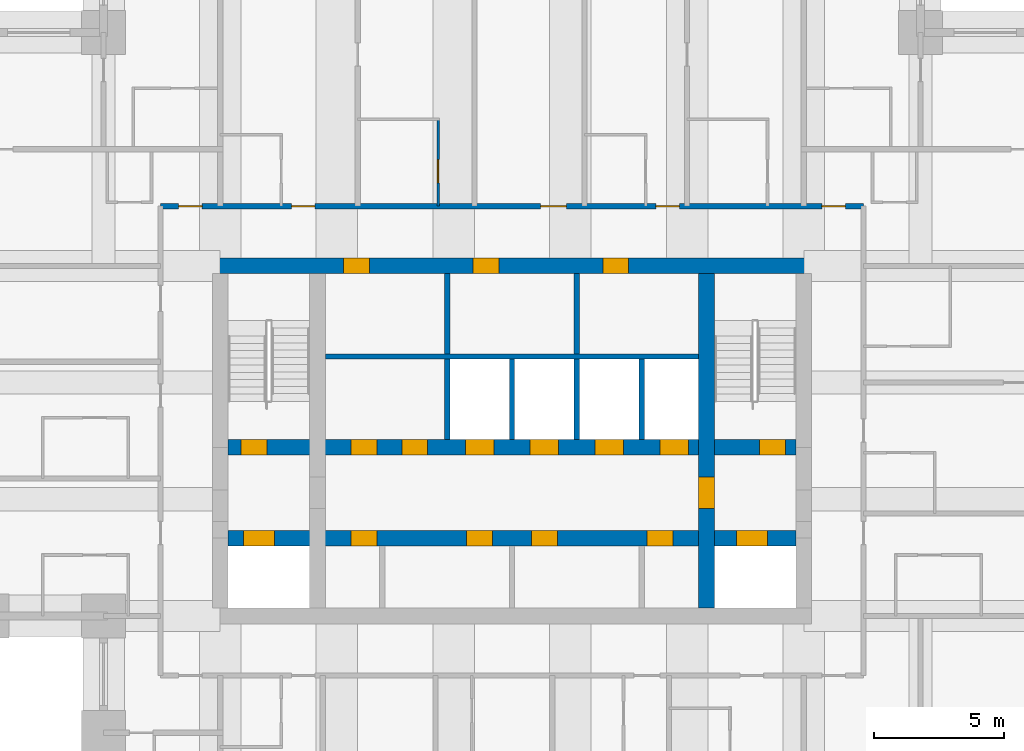
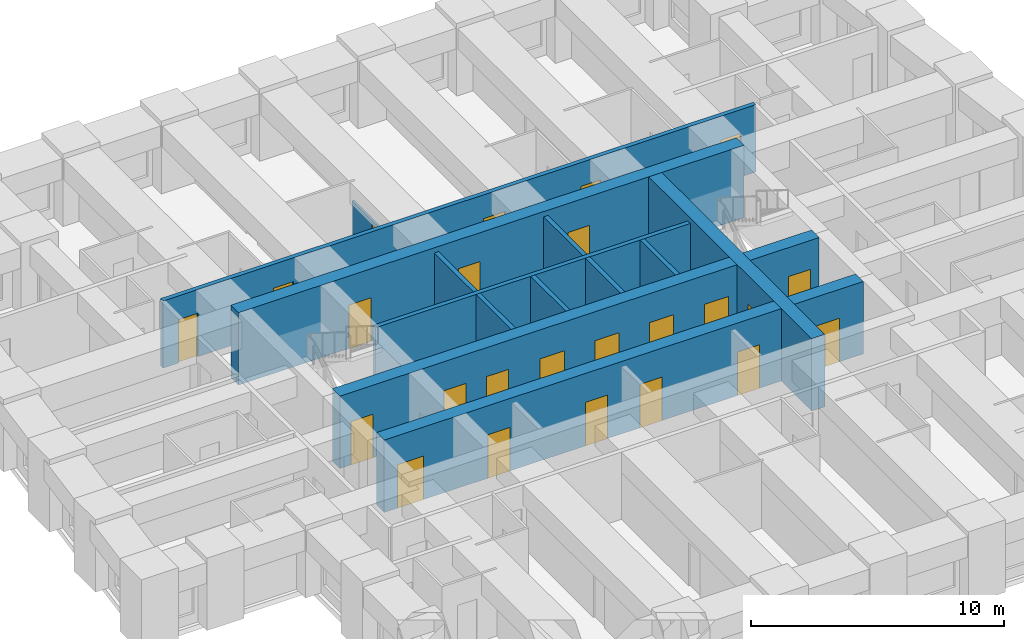
# One storey, part 4 of 8: 24 doors, 13 walls, 24 openings.
"""IFC4 building model written with IfcOpenShell, lengths in metres."""

from ifc_helpers import new_model, si_unit, direction, frame, frame_2d, origin, place, context, subcontext, project, spatial, rectangle, extrude, material, layer, layer_set, type_object, element, fill, save


model = new_model("IFC4")

# Units and contexts
model_context = context("Model", 3, precision=1e-05, world=origin(), true_north=direction((0.0, 1.0)))
body_context = subcontext(model_context, "Body", "Model", "MODEL_VIEW")
ifc_project = project(units=[si_unit("LENGTHUNIT", "METRE"), si_unit("AREAUNIT", "SQUARE_METRE"), si_unit("VOLUMEUNIT", "CUBIC_METRE"), si_unit("PLANEANGLEUNIT", "RADIAN"), si_unit("MASSUNIT", "GRAM", prefix="KILO")], contexts=[model_context])

# Site, building, storey
site_placement = place(None, origin())
site = spatial("IfcSite", under=ifc_project, at=site_placement, CompositionType="ELEMENT")
building_placement = place(site_placement, origin())
building = spatial("IfcBuilding", under=site, at=building_placement, Name="Kilele Tower Hotel", CompositionType="ELEMENT")
storey_placement = place(building_placement, frame((0.0, 0.0, 197.39990234375)))
storey = spatial("IfcBuildingStorey", under=building, at=storey_placement, Name="L51", CompositionType="ELEMENT", Elevation=197.39990234375)

# Wall, opening, door
ifc_material_1 = material(Name="Moisture-resistant board")
ifc_layer_1 = layer(ifc_material_1, 0.10009765625)
ifc_layer_set_1 = layer_set([ifc_layer_1], Name="Moisture-resistant board")
wall_type_1 = type_object("IfcWallType", Name="Bathroom partition 100", PredefinedType="PLUMBINGWALL", material=ifc_layer_set_1)
wall_1_placement = place(storey_placement, frame((21.89990234375, 29.300048828125, 0.0), z_axis=(0.0, 0.0, 1.0), x_axis=(0.0, 1.0, 0.0)))
wall_1 = element("IfcWall", 1, at=wall_1_placement, inside=storey, type_object=wall_type_1, Name="Bathroom partition 100 L51", PredefinedType="PLUMBINGWALL", context=body_context, shape_type="SweptSolid", body=[
    extrude(rectangle(XDim=3.39990234375, YDim=0.10009765625, at=frame_2d((1.699951171875, 0.0))), origin(), (0.0, 0.0, 1.0), 2.25),
])
opening_1_placement = place(wall_1_placement, frame((1.7998046875, 0.0, 0.0), z_axis=(0.0, 0.0, 1.0), x_axis=(-1.0, 0.0, 0.0)))
opening_1 = element("IfcOpeningElement", 2, at=opening_1_placement, cuts=wall_1, Name="Opening D2A", PredefinedType="OPENING", context=body_context, shape_type="SweptSolid", body=[
    extrude(rectangle(XDim=0.89990234375, YDim=2.10009765625, at=frame_2d((0.449951171875, 1.050048828125))), frame((0.0, 0.06005859375, 0.0), z_axis=(0.0, -1.0, 0.0), x_axis=(1.0, 0.0, 0.0)), (0.0, 0.0, 1.0), 0.1201171875),
])
ifc_material_2 = material(Name="Timber door leaf in hardwood frame", Category="wood")
door_type_1 = type_object("IfcDoorType", Name="Bathroom door 900", OperationType="SINGLE_SWING_LEFT", PredefinedType="DOOR", material=ifc_material_2)
door_1_placement = place(opening_1_placement, origin())
door_1 = element("IfcDoor", 3, at=door_1_placement, inside=storey, type_object=door_type_1, Name="Bathroom door 5110B", OperationType="SINGLE_SWING_RIGHT", OverallHeight=2.10009765625, OverallWidth=0.89990234375, PredefinedType="DOOR", context=body_context, shape_type="SweptSolid", body=[
    extrude(rectangle(XDim=0.89990234375, YDim=2.10009765625, at=frame_2d((0.449951171875, 1.050048828125))), frame((0.0, 0.02490234375, 0.0), z_axis=(0.0, -1.0, 0.0), x_axis=(1.0, 0.0, 0.0)), (0.0, 0.0, 1.0), 0.050048828125),
])
fill(opening_1, door_1)

# Wall, openings, doors
ifc_material_3 = material(Name="Concrete C70/85", Category="concrete")
ifc_layer_2 = layer(ifc_material_3, 0.60009765625)
ifc_layer_set_2 = layer_set([ifc_layer_2], Name="Concrete C70/85")
wall_type_2 = type_object("IfcWallType", Name="Core wall 600 C70/85", PredefinedType="SHEAR", material=ifc_layer_set_2)
wall_2_placement = place(storey_placement, frame((36.300048828125, 27.0, 0.0), z_axis=(0.0, 0.0, 1.0), x_axis=(-1.0, 0.0, 0.0)))
wall_2 = element("IfcWall", 4, at=wall_2_placement, inside=storey, type_object=wall_type_2, Name="Core wall N L51", PredefinedType="SHEAR", context=body_context, shape_type="SweptSolid", body=[
    extrude(rectangle(XDim=23.10009765625, YDim=0.60009765625, at=frame_2d((11.550048828125, 0.0))), origin(), (0.0, 0.0, 1.0), 3.5),
])
opening_2_placement = place(wall_2_placement, frame((17.050048828125, 0.0, 0.0)))
opening_2 = element("IfcOpeningElement", 5, at=opening_2_placement, cuts=wall_2, Name="Opening D6", PredefinedType="OPENING", context=body_context, shape_type="SweptSolid", body=[
    extrude(rectangle(XDim=1.0, YDim=2.10009765625, at=frame_2d((0.5, 1.050048828125))), frame((0.0, 0.31005859375, 0.0), z_axis=(0.0, -1.0, 0.0), x_axis=(1.0, 0.0, 0.0)), (0.0, 0.0, 1.0), 0.6201171875),
])
opening_3_placement = place(wall_2_placement, frame((12.050048828125, 0.0, 0.0)))
opening_3 = element("IfcOpeningElement", 6, at=opening_3_placement, cuts=wall_2, Name="Opening D6", PredefinedType="OPENING", context=body_context, shape_type="SweptSolid", body=[
    extrude(rectangle(XDim=1.0, YDim=2.10009765625, at=frame_2d((0.5, 1.050048828125))), frame((0.0, 0.31005859375, 0.0), z_axis=(0.0, -1.0, 0.0), x_axis=(1.0, 0.0, 0.0)), (0.0, 0.0, 1.0), 0.6201171875),
])
opening_4_placement = place(wall_2_placement, frame((7.050048828125, 0.0, 0.0)))
opening_4 = element("IfcOpeningElement", 7, at=opening_4_placement, cuts=wall_2, Name="Opening D6", PredefinedType="OPENING", context=body_context, shape_type="SweptSolid", body=[
    extrude(rectangle(XDim=1.0, YDim=2.10009765625, at=frame_2d((0.5, 1.050048828125))), frame((0.0, 0.31005859375, 0.0), z_axis=(0.0, -1.0, 0.0), x_axis=(1.0, 0.0, 0.0)), (0.0, 0.0, 1.0), 0.6201171875),
])
ifc_material_4 = material(Name="Timber door leaf in hardwood frame", Category="wood")
door_type_2 = type_object("IfcDoorType", Name="Riser door 1000", OperationType="SINGLE_SWING_LEFT", PredefinedType="DOOR", material=ifc_material_4)
door_2_placement = place(opening_2_placement, origin())
door_2 = element("IfcDoor", 8, at=door_2_placement, inside=storey, type_object=door_type_2, Name="Service riser door L51", OperationType="SINGLE_SWING_RIGHT", OverallHeight=2.10009765625, OverallWidth=1.0, PredefinedType="DOOR", context=body_context, shape_type="SweptSolid", body=[
    extrude(rectangle(XDim=1.0, YDim=2.10009765625, at=frame_2d((0.5, 1.050048828125))), frame((0.0, 0.2998046875, 0.0), z_axis=(0.0, -1.0, 0.0), x_axis=(1.0, 0.0, 0.0)), (0.0, 0.0, 1.0), 0.599609375),
])
fill(opening_2, door_2)
door_3_placement = place(opening_3_placement, origin())
door_3 = element("IfcDoor", 9, at=door_3_placement, inside=storey, type_object=door_type_2, Name="Staff WC door L51", OperationType="SINGLE_SWING_RIGHT", OverallHeight=2.10009765625, OverallWidth=1.0, PredefinedType="DOOR", context=body_context, shape_type="SweptSolid", body=[
    extrude(rectangle(XDim=1.0, YDim=2.10009765625, at=frame_2d((0.5, 1.050048828125))), frame((0.0, 0.2998046875, 0.0), z_axis=(0.0, -1.0, 0.0), x_axis=(1.0, 0.0, 0.0)), (0.0, 0.0, 1.0), 0.599609375),
])
fill(opening_3, door_3)
door_4_placement = place(opening_4_placement, origin())
door_4 = element("IfcDoor", 10, at=door_4_placement, inside=storey, type_object=door_type_2, Name="Electrical riser door L51", OperationType="SINGLE_SWING_RIGHT", OverallHeight=2.10009765625, OverallWidth=1.0, PredefinedType="DOOR", context=body_context, shape_type="SweptSolid", body=[
    extrude(rectangle(XDim=1.0, YDim=2.10009765625, at=frame_2d((0.5, 1.050048828125))), frame((0.0, 0.2998046875, 0.0), z_axis=(0.0, -1.0, 0.0), x_axis=(1.0, 0.0, 0.0)), (0.0, 0.0, 1.0), 0.599609375),
])
fill(opening_4, door_4)

# Wall, opening, door
wall_3_placement = place(storey_placement, frame((32.25, 13.800048828125, 0.0), z_axis=(0.0, 0.0, 1.0), x_axis=(0.0, 1.0, 0.0)))
wall_3 = element("IfcWall", 11, at=wall_3_placement, inside=storey, type_object=wall_type_2, Name="Core wall IE L51", PredefinedType="SHEAR", context=body_context, shape_type="SweptSolid", body=[
    extrude(rectangle(XDim=12.89990234375, YDim=0.60009765625, at=frame_2d((6.449951171875, 0.0))), origin(), (0.0, 0.0, 1.0), 3.5),
])
opening_5_placement = place(wall_3_placement, frame((5.050048828125, 0.0, 0.0), z_axis=(0.0, 0.0, 1.0), x_axis=(-1.0, 0.0, 0.0)))
opening_5 = element("IfcOpeningElement", 12, at=opening_5_placement, cuts=wall_3, Name="Opening D4", PredefinedType="OPENING", context=body_context, shape_type="SweptSolid", body=[
    extrude(rectangle(XDim=1.199951171875, YDim=2.10009765625, at=frame_2d((0.60009765625, 1.050048828125))), frame((0.0, 0.31005859375, 0.0), z_axis=(0.0, -1.0, 0.0), x_axis=(1.0, 0.0, 0.0)), (0.0, 0.0, 1.0), 0.6201171875),
])
ifc_material_5 = material(Name="Timber door leaf in hardwood frame", Category="wood")
door_type_3 = type_object("IfcDoorType", Name="Firefighting lobby door 1200", OperationType="SINGLE_SWING_LEFT", PredefinedType="DOOR", material=ifc_material_5)
door_5_placement = place(opening_5_placement, origin())
door_5 = element("IfcDoor", 13, at=door_5_placement, inside=storey, type_object=door_type_3, Name="Lobby door L51", OperationType="SINGLE_SWING_RIGHT", OverallHeight=2.10009765625, OverallWidth=1.199951171875, PredefinedType="DOOR", context=body_context, shape_type="SweptSolid", body=[
    extrude(rectangle(XDim=1.199951171875, YDim=2.10009765625, at=frame_2d((0.60009765625, 1.050048828125))), frame((0.0, 0.2998046875, 0.0), z_axis=(0.0, -1.0, 0.0), x_axis=(1.0, 0.0, 0.0)), (0.0, 0.0, 1.0), 0.599609375),
])
fill(opening_5, door_5)

# Wall, openings, doors
wall_4_placement = place(storey_placement, frame((13.800048828125, 16.5, 0.0), z_axis=(0.0, 0.0, 1.0), x_axis=(1.0, 0.0, 0.0)))
wall_4 = element("IfcWall", 14, at=wall_4_placement, inside=storey, type_object=wall_type_2, Name="Core wall LS L51", PredefinedType="SHEAR", context=body_context, shape_type="SweptSolid", body=[
    extrude(rectangle(XDim=21.89990234375, YDim=0.60009765625, at=frame_2d((10.949951171875, 0.0))), origin(), (0.0, 0.0, 1.0), 3.5),
])
opening_6_placement = place(wall_4_placement, frame((5.75, 0.0, 0.0), z_axis=(0.0, 0.0, 1.0), x_axis=(-1.0, 0.0, 0.0)))
opening_6 = element("IfcOpeningElement", 15, at=opening_6_placement, cuts=wall_4, Name="Opening D11", PredefinedType="OPENING", context=body_context, shape_type="SweptSolid", body=[
    extrude(rectangle(XDim=1.0, YDim=2.10009765625, at=frame_2d((0.5, 1.050048828125))), frame((0.0, 0.31005859375, 0.0), z_axis=(0.0, -1.0, 0.0), x_axis=(1.0, 0.0, 0.0)), (0.0, 0.0, 1.0), 0.6201171875),
])
opening_7_placement = place(wall_4_placement, frame((10.199951171875, 0.0, 0.0), z_axis=(0.0, 0.0, 1.0), x_axis=(-1.0, 0.0, 0.0)))
opening_7 = element("IfcOpeningElement", 16, at=opening_7_placement, cuts=wall_4, Name="Opening D11", PredefinedType="OPENING", context=body_context, shape_type="SweptSolid", body=[
    extrude(rectangle(XDim=1.0, YDim=2.10009765625, at=frame_2d((0.5, 1.050048828125))), frame((0.0, 0.31005859375, 0.0), z_axis=(0.0, -1.0, 0.0), x_axis=(1.0, 0.0, 0.0)), (0.0, 0.0, 1.0), 0.6201171875),
])
opening_8_placement = place(wall_4_placement, frame((12.699951171875, 0.0, 0.0), z_axis=(0.0, 0.0, 1.0), x_axis=(-1.0, 0.0, 0.0)))
opening_8 = element("IfcOpeningElement", 17, at=opening_8_placement, cuts=wall_4, Name="Opening D11", PredefinedType="OPENING", context=body_context, shape_type="SweptSolid", body=[
    extrude(rectangle(XDim=1.0, YDim=2.10009765625, at=frame_2d((0.5, 1.050048828125))), frame((0.0, 0.31005859375, 0.0), z_axis=(0.0, -1.0, 0.0), x_axis=(1.0, 0.0, 0.0)), (0.0, 0.0, 1.0), 0.6201171875),
])
opening_9_placement = place(wall_4_placement, frame((17.14990234375, 0.0, 0.0), z_axis=(0.0, 0.0, 1.0), x_axis=(-1.0, 0.0, 0.0)))
opening_9 = element("IfcOpeningElement", 18, at=opening_9_placement, cuts=wall_4, Name="Opening D11", PredefinedType="OPENING", context=body_context, shape_type="SweptSolid", body=[
    extrude(rectangle(XDim=1.0, YDim=2.10009765625, at=frame_2d((0.5, 1.050048828125))), frame((0.0, 0.31005859375, 0.0), z_axis=(0.0, -1.0, 0.0), x_axis=(1.0, 0.0, 0.0)), (0.0, 0.0, 1.0), 0.6201171875),
])
opening_10_placement = place(wall_4_placement, frame((0.60009765625, 0.0, 0.0)))
opening_10 = element("IfcOpeningElement", 19, at=opening_10_placement, cuts=wall_4, Name="Opening LD2", PredefinedType="OPENING", context=body_context, shape_type="SweptSolid", body=[
    extrude(rectangle(XDim=1.199951171875, YDim=2.10009765625, at=frame_2d((0.60009765625, 1.050048828125))), frame((0.0, 0.31005859375, 0.0), z_axis=(0.0, -1.0, 0.0), x_axis=(1.0, 0.0, 0.0)), (0.0, 0.0, 1.0), 0.6201171875),
])
opening_11_placement = place(wall_4_placement, frame((19.60009765625, 0.0, 0.0)))
opening_11 = element("IfcOpeningElement", 20, at=opening_11_placement, cuts=wall_4, Name="Opening LD2", PredefinedType="OPENING", context=body_context, shape_type="SweptSolid", body=[
    extrude(rectangle(XDim=1.199951171875, YDim=2.10009765625, at=frame_2d((0.60009765625, 1.050048828125))), frame((0.0, 0.31005859375, 0.0), z_axis=(0.0, -1.0, 0.0), x_axis=(1.0, 0.0, 0.0)), (0.0, 0.0, 1.0), 0.6201171875),
])
ifc_material_6 = material(Name="Timber door leaf in hardwood frame", Category="wood")
door_type_4 = type_object("IfcDoorType", Name="Core store door 1000", OperationType="SINGLE_SWING_LEFT", PredefinedType="DOOR", material=ifc_material_6)
door_6_placement = place(opening_6_placement, origin())
door_6 = element("IfcDoor", 21, at=door_6_placement, inside=storey, type_object=door_type_4, Name="Core room door L1 L51", OperationType="SINGLE_SWING_LEFT", OverallHeight=2.10009765625, OverallWidth=1.0, PredefinedType="DOOR", context=body_context, shape_type="SweptSolid", body=[
    extrude(rectangle(XDim=1.0, YDim=2.10009765625, at=frame_2d((0.5, 1.050048828125))), frame((0.0, 0.2998046875, 0.0), z_axis=(0.0, -1.0, 0.0), x_axis=(1.0, 0.0, 0.0)), (0.0, 0.0, 1.0), 0.599609375),
])
fill(opening_6, door_6)
door_7_placement = place(opening_7_placement, origin())
door_7 = element("IfcDoor", 22, at=door_7_placement, inside=storey, type_object=door_type_4, Name="Core room door L3 L51", OperationType="SINGLE_SWING_LEFT", OverallHeight=2.10009765625, OverallWidth=1.0, PredefinedType="DOOR", context=body_context, shape_type="SweptSolid", body=[
    extrude(rectangle(XDim=1.0, YDim=2.10009765625, at=frame_2d((0.5, 1.050048828125))), frame((0.0, 0.2998046875, 0.0), z_axis=(0.0, -1.0, 0.0), x_axis=(1.0, 0.0, 0.0)), (0.0, 0.0, 1.0), 0.599609375),
])
fill(opening_7, door_7)
door_8_placement = place(opening_8_placement, origin())
door_8 = element("IfcDoor", 23, at=door_8_placement, inside=storey, type_object=door_type_4, Name="Core room door M1 L51", OperationType="SINGLE_SWING_RIGHT", OverallHeight=2.10009765625, OverallWidth=1.0, PredefinedType="DOOR", context=body_context, shape_type="SweptSolid", body=[
    extrude(rectangle(XDim=1.0, YDim=2.10009765625, at=frame_2d((0.5, 1.050048828125))), frame((0.0, 0.2998046875, 0.0), z_axis=(0.0, -1.0, 0.0), x_axis=(1.0, 0.0, 0.0)), (0.0, 0.0, 1.0), 0.599609375),
])
fill(opening_8, door_8)
door_9_placement = place(opening_9_placement, origin())
door_9 = element("IfcDoor", 24, at=door_9_placement, inside=storey, type_object=door_type_4, Name="Core room door M3 L51", OperationType="SINGLE_SWING_RIGHT", OverallHeight=2.10009765625, OverallWidth=1.0, PredefinedType="DOOR", context=body_context, shape_type="SweptSolid", body=[
    extrude(rectangle(XDim=1.0, YDim=2.10009765625, at=frame_2d((0.5, 1.050048828125))), frame((0.0, 0.2998046875, 0.0), z_axis=(0.0, -1.0, 0.0), x_axis=(1.0, 0.0, 0.0)), (0.0, 0.0, 1.0), 0.599609375),
])
fill(opening_9, door_9)
ifc_material_7 = material(Name="Steel lift landing door", Category="steel")
door_type_5 = type_object("IfcDoorType", Name="Firefighting lift landing door 1200", OperationType="SLIDING_TO_LEFT", PredefinedType="DOOR", material=ifc_material_7)
door_10_placement = place(opening_10_placement, origin())
door_10 = element("IfcDoor", 25, at=door_10_placement, inside=storey, type_object=door_type_5, Name="Landing door FFW L51", OperationType="SLIDING_TO_LEFT", OverallHeight=2.10009765625, OverallWidth=1.199951171875, PredefinedType="DOOR", context=body_context, shape_type="SweptSolid", body=[
    extrude(rectangle(XDim=1.199951171875, YDim=2.10009765625, at=frame_2d((0.60009765625, 1.050048828125))), frame((0.0, 0.2998046875, 0.0), z_axis=(0.0, -1.0, 0.0), x_axis=(1.0, 0.0, 0.0)), (0.0, 0.0, 1.0), 0.599609375),
])
fill(opening_10, door_10)
door_11_placement = place(opening_11_placement, origin())
door_11 = element("IfcDoor", 26, at=door_11_placement, inside=storey, type_object=door_type_5, Name="Landing door FFE L51", OperationType="SLIDING_TO_LEFT", OverallHeight=2.10009765625, OverallWidth=1.199951171875, PredefinedType="DOOR", context=body_context, shape_type="SweptSolid", body=[
    extrude(rectangle(XDim=1.199951171875, YDim=2.10009765625, at=frame_2d((0.60009765625, 1.050048828125))), frame((0.0, 0.2998046875, 0.0), z_axis=(0.0, -1.0, 0.0), x_axis=(1.0, 0.0, 0.0)), (0.0, 0.0, 1.0), 0.599609375),
])
fill(opening_11, door_11)

wall_5_placement = place(storey_placement, frame((13.800048828125, 20.0, 0.0), z_axis=(0.0, 0.0, 1.0), x_axis=(1.0, 0.0, 0.0)))
wall_5 = element("IfcWall", 27, at=wall_5_placement, inside=storey, type_object=wall_type_2, Name="Core wall LN L51", PredefinedType="SHEAR", context=body_context, shape_type="SweptSolid", body=[
    extrude(rectangle(XDim=21.89990234375, YDim=0.60009765625, at=frame_2d((10.949951171875, 0.0))), origin(), (0.0, 0.0, 1.0), 3.5),
])
opening_12_placement = place(wall_5_placement, frame((0.5, 0.0, 0.0)))
opening_12 = element("IfcOpeningElement", 28, at=opening_12_placement, cuts=wall_5, Name="Opening D5", PredefinedType="OPENING", context=body_context, shape_type="SweptSolid", body=[
    extrude(rectangle(XDim=1.0, YDim=2.10009765625, at=frame_2d((0.5, 1.050048828125))), frame((0.0, 0.31005859375, 0.0), z_axis=(0.0, -1.0, 0.0), x_axis=(1.0, 0.0, 0.0)), (0.0, 0.0, 1.0), 0.6201171875),
])
opening_13_placement = place(wall_5_placement, frame((20.5, 0.0, 0.0)))
opening_13 = element("IfcOpeningElement", 29, at=opening_13_placement, cuts=wall_5, Name="Opening D5", PredefinedType="OPENING", context=body_context, shape_type="SweptSolid", body=[
    extrude(rectangle(XDim=1.0, YDim=2.10009765625, at=frame_2d((0.5, 1.050048828125))), frame((0.0, 0.31005859375, 0.0), z_axis=(0.0, -1.0, 0.0), x_axis=(1.0, 0.0, 0.0)), (0.0, 0.0, 1.0), 0.6201171875),
])
opening_14_placement = place(wall_5_placement, frame((9.14990234375, 0.0, 0.0)))
opening_14 = element("IfcOpeningElement", 30, at=opening_14_placement, cuts=wall_5, Name="Opening LD1", PredefinedType="OPENING", context=body_context, shape_type="SweptSolid", body=[
    extrude(rectangle(XDim=1.10009765625, YDim=2.10009765625, at=frame_2d((0.550048828125, 1.050048828125))), frame((0.0, 0.31005859375, 0.0), z_axis=(0.0, -1.0, 0.0), x_axis=(1.0, 0.0, 0.0)), (0.0, 0.0, 1.0), 0.6201171875),
])
opening_15_placement = place(wall_5_placement, frame((11.64990234375, 0.0, 0.0)))
opening_15 = element("IfcOpeningElement", 31, at=opening_15_placement, cuts=wall_5, Name="Opening LD1", PredefinedType="OPENING", context=body_context, shape_type="SweptSolid", body=[
    extrude(rectangle(XDim=1.10009765625, YDim=2.10009765625, at=frame_2d((0.550048828125, 1.050048828125))), frame((0.0, 0.31005859375, 0.0), z_axis=(0.0, -1.0, 0.0), x_axis=(1.0, 0.0, 0.0)), (0.0, 0.0, 1.0), 0.6201171875),
])
opening_16_placement = place(wall_5_placement, frame((14.14990234375, 0.0, 0.0)))
opening_16 = element("IfcOpeningElement", 32, at=opening_16_placement, cuts=wall_5, Name="Opening LD1", PredefinedType="OPENING", context=body_context, shape_type="SweptSolid", body=[
    extrude(rectangle(XDim=1.10009765625, YDim=2.10009765625, at=frame_2d((0.550048828125, 1.050048828125))), frame((0.0, 0.31005859375, 0.0), z_axis=(0.0, -1.0, 0.0), x_axis=(1.0, 0.0, 0.0)), (0.0, 0.0, 1.0), 0.6201171875),
])
opening_17_placement = place(wall_5_placement, frame((16.64990234375, 0.0, 0.0)))
opening_17 = element("IfcOpeningElement", 33, at=opening_17_placement, cuts=wall_5, Name="Opening LD1", PredefinedType="OPENING", context=body_context, shape_type="SweptSolid", body=[
    extrude(rectangle(XDim=1.10009765625, YDim=2.10009765625, at=frame_2d((0.550048828125, 1.050048828125))), frame((0.0, 0.31005859375, 0.0), z_axis=(0.0, -1.0, 0.0), x_axis=(1.0, 0.0, 0.0)), (0.0, 0.0, 1.0), 0.6201171875),
])
opening_18_placement = place(wall_5_placement, frame((4.75, 0.0, 0.0)))
opening_18 = element("IfcOpeningElement", 34, at=opening_18_placement, cuts=wall_5, Name="Opening D11", PredefinedType="OPENING", context=body_context, shape_type="SweptSolid", body=[
    extrude(rectangle(XDim=1.0, YDim=2.10009765625, at=frame_2d((0.5, 1.050048828125))), frame((0.0, 0.31005859375, 0.0), z_axis=(0.0, -1.0, 0.0), x_axis=(1.0, 0.0, 0.0)), (0.0, 0.0, 1.0), 0.6201171875),
])
opening_19_placement = place(wall_5_placement, frame((6.699951171875, 0.0, 0.0)))
opening_19 = element("IfcOpeningElement", 35, at=opening_19_placement, cuts=wall_5, Name="Opening D11", PredefinedType="OPENING", context=body_context, shape_type="SweptSolid", body=[
    extrude(rectangle(XDim=1.0, YDim=2.10009765625, at=frame_2d((0.5, 1.050048828125))), frame((0.0, 0.31005859375, 0.0), z_axis=(0.0, -1.0, 0.0), x_axis=(1.0, 0.0, 0.0)), (0.0, 0.0, 1.0), 0.6201171875),
])
door_12_placement = place(opening_18_placement, origin())
door_12 = element("IfcDoor", 36, at=door_12_placement, inside=storey, type_object=door_type_4, Name="Core room door S1 L51", OperationType="SINGLE_SWING_LEFT", OverallHeight=2.10009765625, OverallWidth=1.0, PredefinedType="DOOR", context=body_context, shape_type="SweptSolid", body=[
    extrude(rectangle(XDim=1.0, YDim=2.10009765625, at=frame_2d((0.5, 1.050048828125))), frame((0.0, 0.2998046875, 0.0), z_axis=(0.0, -1.0, 0.0), x_axis=(1.0, 0.0, 0.0)), (0.0, 0.0, 1.0), 0.599609375),
])
fill(opening_18, door_12)
door_13_placement = place(opening_19_placement, origin())
door_13 = element("IfcDoor", 37, at=door_13_placement, inside=storey, type_object=door_type_4, Name="Core room door S2 L51", OperationType="SINGLE_SWING_RIGHT", OverallHeight=2.10009765625, OverallWidth=1.0, PredefinedType="DOOR", context=body_context, shape_type="SweptSolid", body=[
    extrude(rectangle(XDim=1.0, YDim=2.10009765625, at=frame_2d((0.5, 1.050048828125))), frame((0.0, 0.2998046875, 0.0), z_axis=(0.0, -1.0, 0.0), x_axis=(1.0, 0.0, 0.0)), (0.0, 0.0, 1.0), 0.599609375),
])
fill(opening_19, door_13)
ifc_material_8 = material(Name="Steel lift landing door", Category="steel")
door_type_6 = type_object("IfcDoorType", Name="Lift landing door 1100", OperationType="SLIDING_TO_LEFT", PredefinedType="DOOR", material=ifc_material_8)
door_14_placement = place(opening_14_placement, origin())
door_14 = element("IfcDoor", 38, at=door_14_placement, inside=storey, type_object=door_type_6, Name="Landing door H1 L51", OperationType="SLIDING_TO_LEFT", OverallHeight=2.10009765625, OverallWidth=1.10009765625, PredefinedType="DOOR", context=body_context, shape_type="SweptSolid", body=[
    extrude(rectangle(XDim=1.10009765625, YDim=2.10009765625, at=frame_2d((0.550048828125, 1.050048828125))), frame((0.0, 0.2998046875, 0.0), z_axis=(0.0, -1.0, 0.0), x_axis=(1.0, 0.0, 0.0)), (0.0, 0.0, 1.0), 0.599609375),
])
fill(opening_14, door_14)
door_15_placement = place(opening_15_placement, origin())
door_15 = element("IfcDoor", 39, at=door_15_placement, inside=storey, type_object=door_type_6, Name="Landing door H2 L51", OperationType="SLIDING_TO_LEFT", OverallHeight=2.10009765625, OverallWidth=1.10009765625, PredefinedType="DOOR", context=body_context, shape_type="SweptSolid", body=[
    extrude(rectangle(XDim=1.10009765625, YDim=2.10009765625, at=frame_2d((0.550048828125, 1.050048828125))), frame((0.0, 0.2998046875, 0.0), z_axis=(0.0, -1.0, 0.0), x_axis=(1.0, 0.0, 0.0)), (0.0, 0.0, 1.0), 0.599609375),
])
fill(opening_15, door_15)
door_16_placement = place(opening_16_placement, origin())
door_16 = element("IfcDoor", 40, at=door_16_placement, inside=storey, type_object=door_type_6, Name="Landing door H3 L51", OperationType="SLIDING_TO_LEFT", OverallHeight=2.10009765625, OverallWidth=1.10009765625, PredefinedType="DOOR", context=body_context, shape_type="SweptSolid", body=[
    extrude(rectangle(XDim=1.10009765625, YDim=2.10009765625, at=frame_2d((0.550048828125, 1.050048828125))), frame((0.0, 0.2998046875, 0.0), z_axis=(0.0, -1.0, 0.0), x_axis=(1.0, 0.0, 0.0)), (0.0, 0.0, 1.0), 0.599609375),
])
fill(opening_16, door_16)
door_17_placement = place(opening_17_placement, origin())
door_17 = element("IfcDoor", 41, at=door_17_placement, inside=storey, type_object=door_type_6, Name="Landing door G1 L51", OperationType="SLIDING_TO_LEFT", OverallHeight=2.10009765625, OverallWidth=1.10009765625, PredefinedType="DOOR", context=body_context, shape_type="SweptSolid", body=[
    extrude(rectangle(XDim=1.10009765625, YDim=2.10009765625, at=frame_2d((0.550048828125, 1.050048828125))), frame((0.0, 0.2998046875, 0.0), z_axis=(0.0, -1.0, 0.0), x_axis=(1.0, 0.0, 0.0)), (0.0, 0.0, 1.0), 0.599609375),
])
fill(opening_17, door_17)
ifc_material_9 = material(Name="Timber door leaf in hardwood frame", Category="wood")
door_type_7 = type_object("IfcDoorType", Name="Stair door 1000", OperationType="SINGLE_SWING_LEFT", PredefinedType="DOOR", material=ifc_material_9)
door_18_placement = place(opening_12_placement, origin())
door_18 = element("IfcDoor", 42, at=door_18_placement, inside=storey, type_object=door_type_7, Name="Stair 1 door L51", OperationType="SINGLE_SWING_LEFT", OverallHeight=2.10009765625, OverallWidth=1.0, PredefinedType="DOOR", context=body_context, shape_type="SweptSolid", body=[
    extrude(rectangle(XDim=1.0, YDim=2.10009765625, at=frame_2d((0.5, 1.050048828125))), frame((0.0, 0.2998046875, 0.0), z_axis=(0.0, -1.0, 0.0), x_axis=(1.0, 0.0, 0.0)), (0.0, 0.0, 1.0), 0.599609375),
])
fill(opening_12, door_18)
door_19_placement = place(opening_13_placement, origin())
door_19 = element("IfcDoor", 43, at=door_19_placement, inside=storey, type_object=door_type_7, Name="Stair 2 door L51", OperationType="SINGLE_SWING_RIGHT", OverallHeight=2.10009765625, OverallWidth=1.0, PredefinedType="DOOR", context=body_context, shape_type="SweptSolid", body=[
    extrude(rectangle(XDim=1.0, YDim=2.10009765625, at=frame_2d((0.5, 1.050048828125))), frame((0.0, 0.2998046875, 0.0), z_axis=(0.0, -1.0, 0.0), x_axis=(1.0, 0.0, 0.0)), (0.0, 0.0, 1.0), 0.599609375),
])
fill(opening_13, door_19)

ifc_material_10 = material(Name="Blockwork, plastered both sides", Category="masonry")
ifc_layer_3 = layer(ifc_material_10, 0.199951171875)
ifc_layer_set_3 = layer_set([ifc_layer_3], Name="Blockwork, plastered both sides")
wall_type_3 = type_object("IfcWallType", Name="Corridor wall 200", PredefinedType="PARTITIONING", material=ifc_layer_set_3)
wall_6_placement = place(storey_placement, frame((11.199951171875, 29.300048828125, 0.0), z_axis=(0.0, 0.0, 1.0), x_axis=(1.0, 0.0, 0.0)))
wall_6 = element("IfcWall", 44, at=wall_6_placement, inside=storey, type_object=wall_type_3, Name="Corridor wall 200 L51", PredefinedType="PARTITIONING", context=body_context, shape_type="SweptSolid", body=[
    extrude(rectangle(XDim=27.10009765625, YDim=0.199951171875, at=frame_2d((13.550048828125, 0.0))), origin(), (0.0, 0.0, 1.0), 3.25),
])
opening_20_placement = place(wall_6_placement, frame((5.050048828125, 0.0, 0.0)))
opening_20 = element("IfcOpeningElement", 45, at=opening_20_placement, cuts=wall_6, Name="Opening D1", PredefinedType="OPENING", context=body_context, shape_type="SweptSolid", body=[
    extrude(rectangle(XDim=0.89990234375, YDim=2.10009765625, at=frame_2d((0.449951171875, 1.050048828125))), frame((0.0, 0.10986328125, 0.0), z_axis=(0.0, -1.0, 0.0), x_axis=(1.0, 0.0, 0.0)), (0.0, 0.0, 1.0), 0.219970703125),
])
opening_21_placement = place(wall_6_placement, frame((14.64990234375, 0.0, 0.0)))
opening_21 = element("IfcOpeningElement", 46, at=opening_21_placement, cuts=wall_6, Name="Opening D8", PredefinedType="OPENING", context=body_context, shape_type="SweptSolid", body=[
    extrude(rectangle(XDim=1.0, YDim=2.10009765625, at=frame_2d((0.5, 1.050048828125))), frame((0.0, 0.10986328125, 0.0), z_axis=(0.0, -1.0, 0.0), x_axis=(1.0, 0.0, 0.0)), (0.0, 0.0, 1.0), 0.219970703125),
])
opening_22_placement = place(wall_6_placement, frame((19.10009765625, 0.0, 0.0)))
opening_22 = element("IfcOpeningElement", 47, at=opening_22_placement, cuts=wall_6, Name="Opening D1", PredefinedType="OPENING", context=body_context, shape_type="SweptSolid", body=[
    extrude(rectangle(XDim=0.89990234375, YDim=2.10009765625, at=frame_2d((0.449951171875, 1.050048828125))), frame((0.0, 0.10986328125, 0.0), z_axis=(0.0, -1.0, 0.0), x_axis=(1.0, 0.0, 0.0)), (0.0, 0.0, 1.0), 0.219970703125),
])
opening_23_placement = place(wall_6_placement, frame((25.5, 0.0, 0.0)))
opening_23 = element("IfcOpeningElement", 48, at=opening_23_placement, cuts=wall_6, Name="Opening D1", PredefinedType="OPENING", context=body_context, shape_type="SweptSolid", body=[
    extrude(rectangle(XDim=0.89990234375, YDim=2.10009765625, at=frame_2d((0.449951171875, 1.050048828125))), frame((0.0, 0.10986328125, 0.0), z_axis=(0.0, -1.0, 0.0), x_axis=(1.0, 0.0, 0.0)), (0.0, 0.0, 1.0), 0.219970703125),
])
opening_24_placement = place(wall_6_placement, frame((0.699951171875, 0.0, 0.0)))
opening_24 = element("IfcOpeningElement", 49, at=opening_24_placement, cuts=wall_6, Name="Opening D1", PredefinedType="OPENING", context=body_context, shape_type="SweptSolid", body=[
    extrude(rectangle(XDim=0.89990234375, YDim=2.10009765625, at=frame_2d((0.449951171875, 1.050048828125))), frame((0.0, 0.10986328125, 0.0), z_axis=(0.0, -1.0, 0.0), x_axis=(1.0, 0.0, 0.0)), (0.0, 0.0, 1.0), 0.219970703125),
])
ifc_material_11 = material(Name="Timber door leaf in hardwood frame", Category="wood")
door_type_8 = type_object("IfcDoorType", Name="Door 1000", OperationType="SINGLE_SWING_LEFT", PredefinedType="DOOR", material=ifc_material_11)
door_20_placement = place(opening_21_placement, origin())
door_20 = element("IfcDoor", 50, at=door_20_placement, inside=storey, type_object=door_type_8, Name="Room entrance 5111", OperationType="SINGLE_SWING_RIGHT", OverallHeight=2.10009765625, OverallWidth=1.0, PredefinedType="DOOR", context=body_context, shape_type="SweptSolid", body=[
    extrude(rectangle(XDim=1.0, YDim=2.10009765625, at=frame_2d((0.5, 1.050048828125))), frame((0.0, 0.02490234375, 0.0), z_axis=(0.0, -1.0, 0.0), x_axis=(1.0, 0.0, 0.0)), (0.0, 0.0, 1.0), 0.050048828125),
])
fill(opening_21, door_20)
ifc_material_12 = material(Name="Timber door leaf in hardwood frame", Category="wood")
door_type_9 = type_object("IfcDoorType", Name="Guest room entrance door 900", OperationType="SINGLE_SWING_LEFT", PredefinedType="DOOR", material=ifc_material_12)
door_21_placement = place(opening_20_placement, origin())
door_21 = element("IfcDoor", 51, at=door_21_placement, inside=storey, type_object=door_type_9, Name="Room entrance 5109", OperationType="SINGLE_SWING_LEFT", OverallHeight=2.10009765625, OverallWidth=0.89990234375, PredefinedType="DOOR", context=body_context, shape_type="SweptSolid", body=[
    extrude(rectangle(XDim=0.89990234375, YDim=2.10009765625, at=frame_2d((0.449951171875, 1.050048828125))), frame((0.0, 0.02490234375, 0.0), z_axis=(0.0, -1.0, 0.0), x_axis=(1.0, 0.0, 0.0)), (0.0, 0.0, 1.0), 0.050048828125),
])
fill(opening_20, door_21)
door_22_placement = place(opening_22_placement, origin())
door_22 = element("IfcDoor", 52, at=door_22_placement, inside=storey, type_object=door_type_9, Name="Room entrance 5112", OperationType="SINGLE_SWING_RIGHT", OverallHeight=2.10009765625, OverallWidth=0.89990234375, PredefinedType="DOOR", context=body_context, shape_type="SweptSolid", body=[
    extrude(rectangle(XDim=0.89990234375, YDim=2.10009765625, at=frame_2d((0.449951171875, 1.050048828125))), frame((0.0, 0.02490234375, 0.0), z_axis=(0.0, -1.0, 0.0), x_axis=(1.0, 0.0, 0.0)), (0.0, 0.0, 1.0), 0.050048828125),
])
fill(opening_22, door_22)
door_23_placement = place(opening_23_placement, origin())
door_23 = element("IfcDoor", 53, at=door_23_placement, inside=storey, type_object=door_type_9, Name="Room entrance 5122", OperationType="SINGLE_SWING_LEFT", OverallHeight=2.10009765625, OverallWidth=0.89990234375, PredefinedType="DOOR", context=body_context, shape_type="SweptSolid", body=[
    extrude(rectangle(XDim=0.89990234375, YDim=2.10009765625, at=frame_2d((0.449951171875, 1.050048828125))), frame((0.0, 0.02490234375, 0.0), z_axis=(0.0, -1.0, 0.0), x_axis=(1.0, 0.0, 0.0)), (0.0, 0.0, 1.0), 0.050048828125),
])
fill(opening_23, door_23)
door_24_placement = place(opening_24_placement, origin())
door_24 = element("IfcDoor", 54, at=door_24_placement, inside=storey, type_object=door_type_9, Name="Room entrance 5125", OperationType="SINGLE_SWING_RIGHT", OverallHeight=2.10009765625, OverallWidth=0.89990234375, PredefinedType="DOOR", context=body_context, shape_type="SweptSolid", body=[
    extrude(rectangle(XDim=0.89990234375, YDim=2.10009765625, at=frame_2d((0.449951171875, 1.050048828125))), frame((0.0, 0.02490234375, 0.0), z_axis=(0.0, -1.0, 0.0), x_axis=(1.0, 0.0, 0.0)), (0.0, 0.0, 1.0), 0.050048828125),
])
fill(opening_24, door_24)

# Walls
ifc_material_13 = material(Name="Blockwork, fire-rated", Category="masonry")
ifc_layer_4 = layer(ifc_material_13, 0.199951171875)
ifc_layer_set_4 = layer_set([ifc_layer_4], Name="Blockwork, fire-rated")
wall_type_4 = type_object("IfcWallType", Name="Shaft wall 200", PredefinedType="PARTITIONING", material=ifc_layer_set_4)
for number, where, z_axis, x_axis, name in (
    (55, (22.25, 20.300048828125, 0.0), (0.0, 0.0, 1.0), (0.0, 1.0, 0.0), "Shaft wall 200 L51"),
    (56, (24.75, 20.300048828125, 0.0), (0.0, 0.0, 1.0), (0.0, 1.0, 0.0), "Shaft wall 200 L51"),
    (57, (27.25, 20.300048828125, 0.0), (0.0, 0.0, 1.0), (0.0, 1.0, 0.0), "Shaft wall 200 L51"),
    (58, (29.75, 20.300048828125, 0.0), (0.0, 0.0, 1.0), (0.0, 1.0, 0.0), "Shaft wall 200 L51"),
):
    element("IfcWall", number, at=place(storey_placement, frame(where, z_axis=z_axis, x_axis=x_axis)), inside=storey, type_object=wall_type_4, Name=name, PredefinedType="PARTITIONING", context=body_context, shape_type="SweptSolid", body=[
        extrude(rectangle(XDim=3.099853515625, YDim=0.199951171875, at=frame_2d((1.5498046875, 0.0))), origin(), (0.0, 0.0, 1.0), 3.25),
    ])
wall_7_placement = place(storey_placement, frame((17.550048828125, 23.5, 0.0), z_axis=(0.0, 0.0, 1.0), x_axis=(1.0, 0.0, 0.0)))
element("IfcWall", 59, at=wall_7_placement, inside=storey, type_object=wall_type_4, Name="Shaft wall 200 L51", PredefinedType="PARTITIONING", context=body_context, shape_type="SweptSolid", body=[
    extrude(rectangle(XDim=14.39990234375, YDim=0.199951171875, at=frame_2d((7.199951171875, 0.0))), origin(), (0.0, 0.0, 1.0), 3.25),
])
for number, where, z_axis, x_axis, name in (
    (60, (22.25, 23.60009765625, 0.0), (0.0, 0.0, 1.0), (0.0, 1.0, 0.0), "Shaft wall 200 L51"),
    (61, (27.25, 23.60009765625, 0.0), (0.0, 0.0, 1.0), (0.0, 1.0, 0.0), "Shaft wall 200 L51"),
):
    element("IfcWall", number, at=place(storey_placement, frame(where, z_axis=z_axis, x_axis=x_axis)), inside=storey, type_object=wall_type_4, Name=name, PredefinedType="PARTITIONING", context=body_context, shape_type="SweptSolid", body=[
        extrude(rectangle(XDim=3.099853515625, YDim=0.199951171875, at=frame_2d((1.5498046875, 0.0))), origin(), (0.0, 0.0, 1.0), 3.25),
    ])

save(model, "model.ifc")
